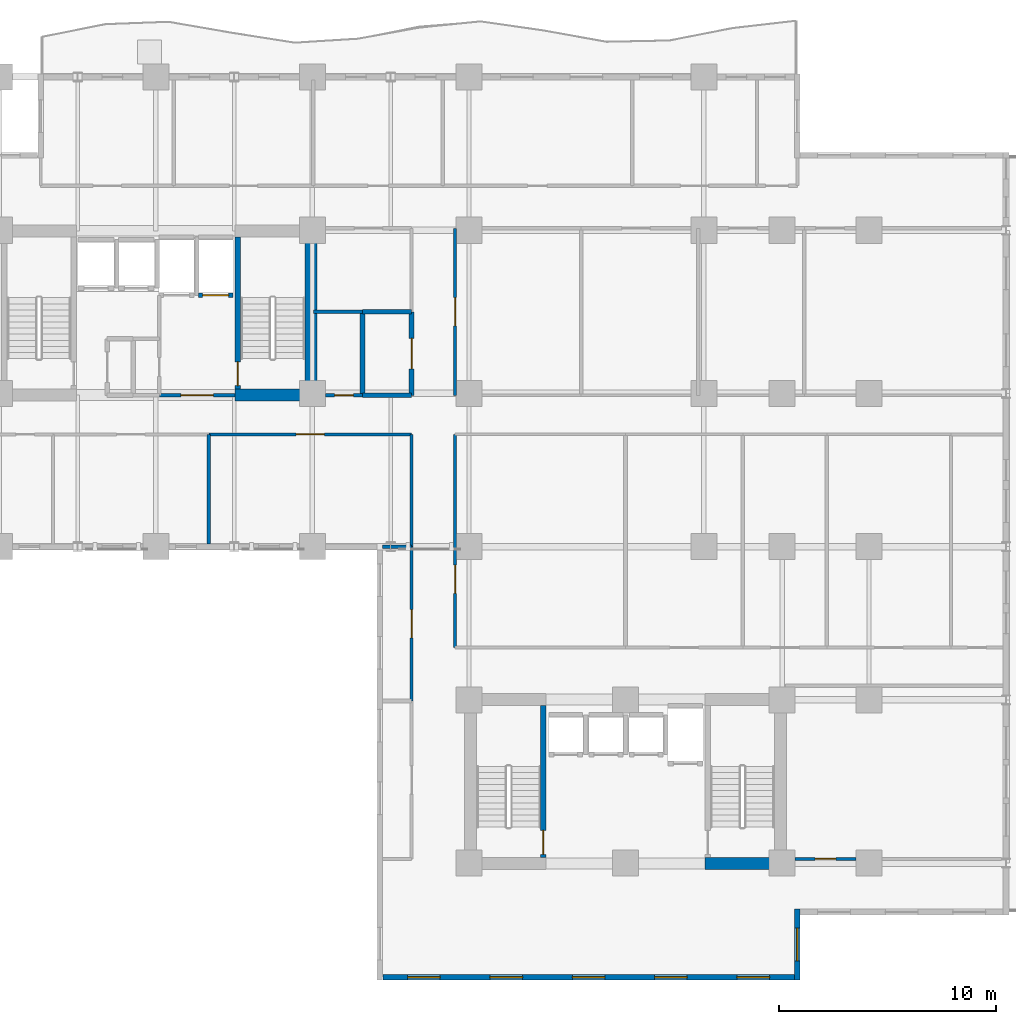
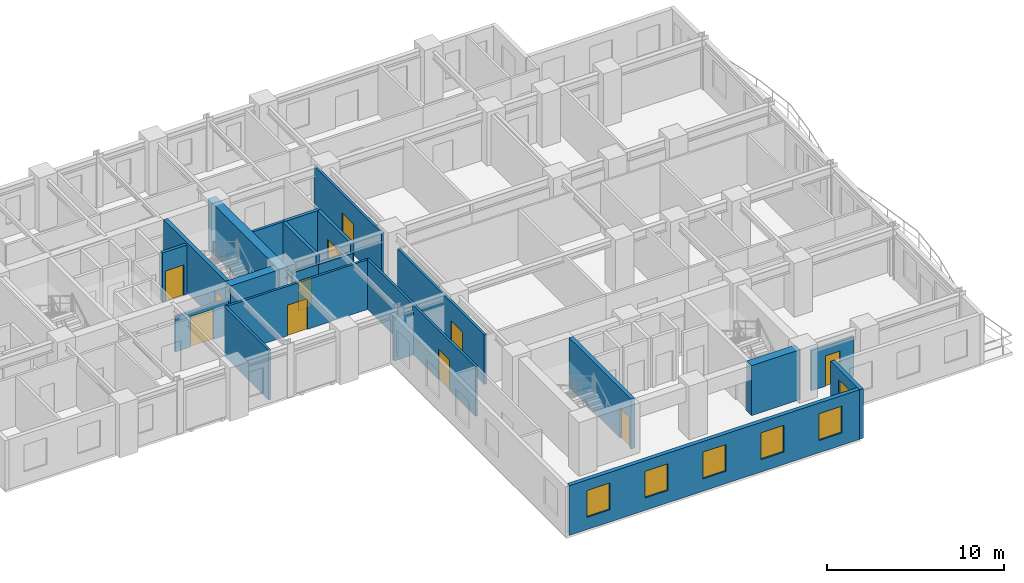
# One storey, part 4 of 11: 23 walls, 11 doors, 6 windows, 17 openings.
"""IFC4 building model written with IfcOpenShell, lengths in metres."""

from ifc_helpers import new_model, si_unit, direction, frame, frame_2d, origin, place, context, subcontext, project, spatial, rectangle, extrude, material, layer, layer_set, type_object, element, fill, save


model = new_model("IFC4")

# Units and contexts
model_context = context("Model", 3, precision=1e-05, world=origin(), true_north=direction((0.0, 1.0)))
body_context = subcontext(model_context, "Body", "Model", "MODEL_VIEW")
ifc_project = project(units=[si_unit("LENGTHUNIT", "METRE"), si_unit("AREAUNIT", "SQUARE_METRE"), si_unit("VOLUMEUNIT", "CUBIC_METRE"), si_unit("PLANEANGLEUNIT", "RADIAN"), si_unit("MASSUNIT", "GRAM", prefix="KILO")], contexts=[model_context])

# Site, building, storey
site_placement = place(None, origin())
site = spatial("IfcSite", under=ifc_project, at=site_placement, CompositionType="ELEMENT")
building_placement = place(site_placement, origin())
building = spatial("IfcBuilding", under=site, at=building_placement, Name="Kaliganga Portal Commons", CompositionType="ELEMENT")
storey_placement = place(building_placement, frame((0.0, 0.0, 111.89990234375)))
storey = spatial("IfcBuildingStorey", under=building, at=storey_placement, Name="L28", CompositionType="ELEMENT", Elevation=111.89990234375)

# Walls
ifc_material_1 = material(Name="Concrete C60/75", Category="concrete")
ifc_layer_1 = layer(ifc_material_1, 0.550048828125)
ifc_layer_set_1 = layer_set([ifc_layer_1], Name="Concrete C60/75")
wall_type_1 = type_object("IfcWallType", Name="WL-CORE-550", PredefinedType="SHEAR", material=ifc_layer_set_1)
wall_1_placement = place(storey_placement, frame((28.72509765625, 28.300048828125, 0.0), z_axis=(0.0, 0.0, 1.0), x_axis=(0.0, 1.0, 0.0)))
element("IfcWall", 1, at=wall_1_placement, inside=storey, type_object=wall_type_1, Name="Core A East Shear Wall L28", PredefinedType="SHEAR", context=body_context, shape_type="SweptSolid", body=[
    extrude(rectangle(XDim=8.099853515625, YDim=0.550048828125, at=frame_2d((4.0498046875, 0.0))), origin(), (0.0, 0.0, 1.0), 3.4501953125),
])
for number, where, z_axis, x_axis, name in (
    (2, (25.25, 28.574951171875, 0.0), (0.0, 0.0, 1.0), (1.0, 0.0, 0.0), "Core A S-East Shear Wall L28"),
    (3, (46.85009765625, 7.02490234375, 0.0), (0.0, 0.0, 1.0), (1.0, 0.0, 0.0), "Core B S-East Shear Wall L28"),
):
    element("IfcWall", number, at=place(storey_placement, frame(where, z_axis=z_axis, x_axis=x_axis)), inside=storey, type_object=wall_type_1, Name=name, PredefinedType="SHEAR", context=body_context, shape_type="SweptSolid", body=[
        extrude(rectangle(XDim=3.199951171875, YDim=0.550048828125, at=frame_2d((1.60009765625, 0.0))), origin(), (0.0, 0.0, 1.0), 3.4501953125),
    ])

# Wall, openings, windows
ifc_material_2 = material(Name="Insulated Aluminium-Clad Spandrel Assembly", Category="aluminium")
ifc_layer_2 = layer(ifc_material_2, 0.260009765625)
ifc_layer_set_2 = layer_set([ifc_layer_2], Name="Insulated Aluminium-Clad Spandrel Assembly")
wall_type_2 = type_object("IfcWallType", Name="WL-EXT-SPAND-260", PredefinedType="STANDARD", material=ifc_layer_set_2)
wall_2_placement = place(storey_placement, frame((50.965087890625, 1.800048828125, 0.0), z_axis=(0.0, 0.0, 1.0), x_axis=(-1.0, 0.0, 0.0)))
wall_2 = element("IfcWall", 4, at=wall_2_placement, inside=storey, type_object=wall_type_2, Name="Exterior Envelope Wall L28 P1-E00-S1", PredefinedType="STANDARD", context=body_context, shape_type="SweptSolid", body=[
    extrude(rectangle(XDim=18.93017578125, YDim=0.260009765625, at=frame_2d((9.465087890625, 0.0))), origin(), (0.0, 0.0, 1.0), 3.43017578125),
])
opening_1_placement = place(wall_2_placement, frame((1.14306640625, 0.0, 0.85009765625)))
opening_1 = element("IfcOpeningElement", 5, at=opening_1_placement, cuts=wall_2, Name="Opening W-02", PredefinedType="OPENING", context=body_context, shape_type="SweptSolid", body=[
    extrude(rectangle(XDim=1.5, YDim=1.85009765625, at=frame_2d((0.75, 0.925048828125))), frame((0.0, 0.14013671875, 0.0), z_axis=(0.0, -1.0, 0.0), x_axis=(1.0, 0.0, 0.0)), (0.0, 0.0, 1.0), 0.280029296875),
])
opening_2_placement = place(wall_2_placement, frame((4.928955078125, 0.0, 0.85009765625)))
opening_2 = element("IfcOpeningElement", 6, at=opening_2_placement, cuts=wall_2, Name="Opening W-02", PredefinedType="OPENING", context=body_context, shape_type="SweptSolid", body=[
    extrude(rectangle(XDim=1.5, YDim=1.85009765625, at=frame_2d((0.75, 0.925048828125))), frame((0.0, 0.14013671875, 0.0), z_axis=(0.0, -1.0, 0.0), x_axis=(1.0, 0.0, 0.0)), (0.0, 0.0, 1.0), 0.280029296875),
])
opening_3_placement = place(wall_2_placement, frame((8.715087890625, 0.0, 0.85009765625)))
opening_3 = element("IfcOpeningElement", 7, at=opening_3_placement, cuts=wall_2, Name="Opening W-02", PredefinedType="OPENING", context=body_context, shape_type="SweptSolid", body=[
    extrude(rectangle(XDim=1.5, YDim=1.85009765625, at=frame_2d((0.75, 0.925048828125))), frame((0.0, 0.14013671875, 0.0), z_axis=(0.0, -1.0, 0.0), x_axis=(1.0, 0.0, 0.0)), (0.0, 0.0, 1.0), 0.280029296875),
])
opening_4_placement = place(wall_2_placement, frame((12.5009765625, 0.0, 0.85009765625)))
opening_4 = element("IfcOpeningElement", 8, at=opening_4_placement, cuts=wall_2, Name="Opening W-02", PredefinedType="OPENING", context=body_context, shape_type="SweptSolid", body=[
    extrude(rectangle(XDim=1.5, YDim=1.85009765625, at=frame_2d((0.75, 0.925048828125))), frame((0.0, 0.14013671875, 0.0), z_axis=(0.0, -1.0, 0.0), x_axis=(1.0, 0.0, 0.0)), (0.0, 0.0, 1.0), 0.280029296875),
])
opening_5_placement = place(wall_2_placement, frame((16.287109375, 0.0, 0.85009765625)))
opening_5 = element("IfcOpeningElement", 9, at=opening_5_placement, cuts=wall_2, Name="Opening W-02", PredefinedType="OPENING", context=body_context, shape_type="SweptSolid", body=[
    extrude(rectangle(XDim=1.5, YDim=1.85009765625, at=frame_2d((0.75, 0.925048828125))), frame((0.0, 0.14013671875, 0.0), z_axis=(0.0, -1.0, 0.0), x_axis=(1.0, 0.0, 0.0)), (0.0, 0.0, 1.0), 0.280029296875),
])
ifc_material_3 = material(Name="Thermally Broken Aluminium and Low-E Double Glazing", Category="aluminium")
window_type = type_object("IfcWindowType", Name="WIN-STD-1500", PartitioningType="DOUBLE_PANEL_VERTICAL", PredefinedType="WINDOW", material=ifc_material_3)
window_1_placement = place(opening_1_placement, origin())
window_1 = element("IfcWindow", 10, at=window_1_placement, inside=storey, type_object=window_type, Name="Facade Window L28-P1E00S1-00", OverallHeight=1.85009765625, OverallWidth=1.5, PartitioningType="SINGLE_PANEL", PredefinedType="WINDOW", context=body_context, shape_type="SweptSolid", body=[
    extrude(rectangle(XDim=1.5, YDim=1.85009765625, at=frame_2d((0.75, 0.925048828125))), frame((0.0, 0.030029296875, 0.0), z_axis=(0.0, -1.0, 0.0), x_axis=(1.0, 0.0, 0.0)), (0.0, 0.0, 1.0), 0.06005859375),
])
fill(opening_1, window_1)
window_2_placement = place(opening_2_placement, origin())
window_2 = element("IfcWindow", 11, at=window_2_placement, inside=storey, type_object=window_type, Name="Facade Window L28-P1E00S1-01", OverallHeight=1.85009765625, OverallWidth=1.5, PartitioningType="SINGLE_PANEL", PredefinedType="WINDOW", context=body_context, shape_type="SweptSolid", body=[
    extrude(rectangle(XDim=1.5, YDim=1.85009765625, at=frame_2d((0.75, 0.925048828125))), frame((0.0, 0.030029296875, 0.0), z_axis=(0.0, -1.0, 0.0), x_axis=(1.0, 0.0, 0.0)), (0.0, 0.0, 1.0), 0.06005859375),
])
fill(opening_2, window_2)
window_3_placement = place(opening_3_placement, origin())
window_3 = element("IfcWindow", 12, at=window_3_placement, inside=storey, type_object=window_type, Name="Facade Window L28-P1E00S1-02", OverallHeight=1.85009765625, OverallWidth=1.5, PartitioningType="SINGLE_PANEL", PredefinedType="WINDOW", context=body_context, shape_type="SweptSolid", body=[
    extrude(rectangle(XDim=1.5, YDim=1.85009765625, at=frame_2d((0.75, 0.925048828125))), frame((0.0, 0.030029296875, 0.0), z_axis=(0.0, -1.0, 0.0), x_axis=(1.0, 0.0, 0.0)), (0.0, 0.0, 1.0), 0.06005859375),
])
fill(opening_3, window_3)
window_4_placement = place(opening_4_placement, origin())
window_4 = element("IfcWindow", 13, at=window_4_placement, inside=storey, type_object=window_type, Name="Facade Window L28-P1E00S1-03", OverallHeight=1.85009765625, OverallWidth=1.5, PartitioningType="SINGLE_PANEL", PredefinedType="WINDOW", context=body_context, shape_type="SweptSolid", body=[
    extrude(rectangle(XDim=1.5, YDim=1.85009765625, at=frame_2d((0.75, 0.925048828125))), frame((0.0, 0.030029296875, 0.0), z_axis=(0.0, -1.0, 0.0), x_axis=(1.0, 0.0, 0.0)), (0.0, 0.0, 1.0), 0.06005859375),
])
fill(opening_4, window_4)
window_5_placement = place(opening_5_placement, origin())
window_5 = element("IfcWindow", 14, at=window_5_placement, inside=storey, type_object=window_type, Name="Facade Window L28-P1E00S1-04", OverallHeight=1.85009765625, OverallWidth=1.5, PartitioningType="SINGLE_PANEL", PredefinedType="WINDOW", context=body_context, shape_type="SweptSolid", body=[
    extrude(rectangle(XDim=1.5, YDim=1.85009765625, at=frame_2d((0.75, 0.925048828125))), frame((0.0, 0.030029296875, 0.0), z_axis=(0.0, -1.0, 0.0), x_axis=(1.0, 0.0, 0.0)), (0.0, 0.0, 1.0), 0.06005859375),
])
fill(opening_5, window_5)

# Wall, opening, window
wall_3_placement = place(storey_placement, frame((51.10009765625, 4.929931640625, 0.0), z_axis=(0.0, 0.0, 1.0), x_axis=(0.0, -1.0, 0.0)))
wall_3 = element("IfcWall", 15, at=wall_3_placement, inside=storey, type_object=wall_type_2, Name="Exterior Envelope Wall L28 P1-E01-S1", PredefinedType="STANDARD", context=body_context, shape_type="SweptSolid", body=[
    extrude(rectangle(XDim=3.260009765625, YDim=0.260009765625, at=frame_2d((1.6298828125, 0.0))), origin(), (0.0, 0.0, 1.0), 3.43017578125),
])
opening_6_placement = place(wall_3_placement, frame((0.8798828125, 0.0, 0.85009765625)))
opening_6 = element("IfcOpeningElement", 16, at=opening_6_placement, cuts=wall_3, Name="Opening W-02", PredefinedType="OPENING", context=body_context, shape_type="SweptSolid", body=[
    extrude(rectangle(XDim=1.5, YDim=1.85009765625, at=frame_2d((0.75, 0.925048828125))), frame((0.0, 0.14013671875, 0.0), z_axis=(0.0, -1.0, 0.0), x_axis=(1.0, 0.0, 0.0)), (0.0, 0.0, 1.0), 0.280029296875),
])
window_6_placement = place(opening_6_placement, origin())
window_6 = element("IfcWindow", 17, at=window_6_placement, inside=storey, type_object=window_type, Name="Facade Window L28-P1E01S1-00", OverallHeight=1.85009765625, OverallWidth=1.5, PartitioningType="SINGLE_PANEL", PredefinedType="WINDOW", context=body_context, shape_type="SweptSolid", body=[
    extrude(rectangle(XDim=1.5, YDim=1.85009765625, at=frame_2d((0.75, 0.925048828125))), frame((0.0, 0.030029296875, 0.0), z_axis=(0.0, -1.0, 0.0), x_axis=(1.0, 0.0, 0.0)), (0.0, 0.0, 1.0), 0.06005859375),
])
fill(opening_6, window_6)

# Wall, opening, door
ifc_material_4 = material(Name="Fire-Rated Gypsum Board on Steel Stud", Category="steel")
ifc_layer_3 = layer(ifc_material_4, 0.14990234375)
ifc_layer_set_3 = layer_set([ifc_layer_3], Name="Fire-Rated Gypsum Board on Steel Stud")
wall_type_3 = type_object("IfcWallType", Name="WL-PART-CORR-150", PredefinedType="PARTITIONING", material=ifc_layer_set_3)
wall_4_placement = place(storey_placement, frame((51.0, 7.239990234375, 0.0), z_axis=(0.0, 0.0, 1.0), x_axis=(1.0, 0.0, 0.0)))
wall_4 = element("IfcWall", 18, at=wall_4_placement, inside=storey, type_object=wall_type_3, Name="Interior Partition L28-001", PredefinedType="PARTITIONING", context=body_context, shape_type="SweptSolid", body=[
    extrude(rectangle(XDim=2.800048828125, YDim=0.14990234375, at=frame_2d((1.39990234375, 0.0))), origin(), (0.0, 0.0, 1.0), 2.780029296875),
])
opening_7_placement = place(wall_4_placement, frame((0.925048828125, 0.0, 0.0)))
opening_7 = element("IfcOpeningElement", 19, at=opening_7_placement, cuts=wall_4, Name="Opening UD-01", PredefinedType="OPENING", context=body_context, shape_type="SweptSolid", body=[
    extrude(rectangle(XDim=0.949951171875, YDim=2.10009765625, at=frame_2d((0.47509765625, 1.050048828125))), frame((0.0, 0.0849609375, 0.0), z_axis=(0.0, -1.0, 0.0), x_axis=(1.0, 0.0, 0.0)), (0.0, 0.0, 1.0), 0.169921875),
])
ifc_material_5 = material(Name="Solid-Core Timber Acoustic Fire Door", Category="wood")
door_type_1 = type_object("IfcDoorType", Name="DR-UNIT-950", OperationType="NOTDEFINED", PredefinedType="DOOR", material=ifc_material_5)
door_1_placement = place(opening_7_placement, origin())
door_1 = element("IfcDoor", 20, at=door_1_placement, inside=storey, type_object=door_type_1, Name="Interior Door L28-BE01", OperationType="SINGLE_SWING_RIGHT", OverallHeight=2.10009765625, OverallWidth=0.949951171875, PredefinedType="DOOR", context=body_context, shape_type="SweptSolid", body=[
    extrude(rectangle(XDim=0.949951171875, YDim=2.10009765625, at=frame_2d((0.47509765625, 1.050048828125))), frame((0.0, 0.02490234375, 0.0), z_axis=(0.0, -1.0, 0.0), x_axis=(1.0, 0.0, 0.0)), (0.0, 0.0, 1.0), 0.050048828125),
])
fill(opening_7, door_1)

wall_5_placement = place(storey_placement, frame((35.360107421875, 16.9599609375, 0.0), z_axis=(0.0, 0.0, 1.0), x_axis=(0.0, 1.0, 0.0)))
wall_5 = element("IfcWall", 21, at=wall_5_placement, inside=storey, type_object=wall_type_3, Name="Interior Partition L28-004", PredefinedType="PARTITIONING", context=body_context, shape_type="SweptSolid", body=[
    extrude(rectangle(XDim=9.800048828125, YDim=0.14990234375, at=frame_2d((4.89990234375, 0.0))), origin(), (0.0, 0.0, 1.0), 3.43017578125),
])
opening_8_placement = place(wall_5_placement, frame((2.486083984375, 0.0, 0.0)))
opening_8 = element("IfcOpeningElement", 22, at=opening_8_placement, cuts=wall_5, Name="Opening RD-03", PredefinedType="OPENING", context=body_context, shape_type="SweptSolid", body=[
    extrude(rectangle(XDim=1.300048828125, YDim=2.1201171875, at=frame_2d((0.64990234375, 1.06005859375))), frame((0.0, 0.0849609375, 0.0), z_axis=(0.0, -1.0, 0.0), x_axis=(1.0, 0.0, 0.0)), (0.0, 0.0, 1.0), 0.169921875),
])
ifc_material_6 = material(Name="Glazed Timber Seminar Vision Door", Category="wood")
door_type_2 = type_object("IfcDoorType", Name="DR-STUDY-1300", OperationType="DOUBLE_DOOR_SINGLE_SWING", PredefinedType="DOOR", material=ifc_material_6)
door_2_placement = place(opening_8_placement, origin())
door_2 = element("IfcDoor", 23, at=door_2_placement, inside=storey, type_object=door_type_2, Name="Interior Door L28-BM01", OperationType="DOUBLE_DOOR_SINGLE_SWING", OverallHeight=2.1201171875, OverallWidth=1.300048828125, PredefinedType="DOOR", context=body_context, shape_type="SweptSolid", body=[
    extrude(rectangle(XDim=1.300048828125, YDim=2.1201171875, at=frame_2d((0.64990234375, 1.06005859375))), frame((0.0, 0.02490234375, 0.0), z_axis=(0.0, -1.0, 0.0), x_axis=(1.0, 0.0, 0.0)), (0.0, 0.0, 1.0), 0.050048828125),
])
fill(opening_8, door_2)

wall_6_placement = place(storey_placement, frame((24.0400390625, 26.760009765625, 0.0), z_axis=(0.0, 0.0, 1.0), x_axis=(1.0, 0.0, 0.0)))
wall_6 = element("IfcWall", 24, at=wall_6_placement, inside=storey, type_object=wall_type_3, Name="Interior Partition L28-005", PredefinedType="PARTITIONING", context=body_context, shape_type="SweptSolid", body=[
    extrude(rectangle(XDim=9.320068359375, YDim=0.14990234375, at=frame_2d((4.66015625, 0.0))), origin(), (0.0, 0.0, 1.0), 3.43017578125),
])
opening_9_placement = place(wall_6_placement, frame((4.010009765625, 0.0, 0.0)))
opening_9 = element("IfcOpeningElement", 25, at=opening_9_placement, cuts=wall_6, Name="Opening RD-03", PredefinedType="OPENING", context=body_context, shape_type="SweptSolid", body=[
    extrude(rectangle(XDim=1.300048828125, YDim=2.1201171875, at=frame_2d((0.64990234375, 1.06005859375))), frame((0.0, 0.0849609375, 0.0), z_axis=(0.0, -1.0, 0.0), x_axis=(1.0, 0.0, 0.0)), (0.0, 0.0, 1.0), 0.169921875),
])
door_3_placement = place(opening_9_placement, origin())
door_3 = element("IfcDoor", 26, at=door_3_placement, inside=storey, type_object=door_type_2, Name="Interior Door L28-AS05", OperationType="DOUBLE_DOOR_SINGLE_SWING", OverallHeight=2.1201171875, OverallWidth=1.300048828125, PredefinedType="DOOR", context=body_context, shape_type="SweptSolid", body=[
    extrude(rectangle(XDim=1.300048828125, YDim=2.1201171875, at=frame_2d((0.64990234375, 1.06005859375))), frame((0.0, 0.02490234375, 0.0), z_axis=(0.0, -1.0, 0.0), x_axis=(1.0, 0.0, 0.0)), (0.0, 0.0, 1.0), 0.050048828125),
])
fill(opening_9, door_3)

wall_7_placement = place(storey_placement, frame((35.360107421875, 28.56005859375, 0.0), z_axis=(0.0, 0.0, 1.0), x_axis=(0.0, 1.0, 0.0)))
wall_7 = element("IfcWall", 27, at=wall_7_placement, inside=storey, type_object=wall_type_3, Name="Interior Partition L28-010", PredefinedType="PARTITIONING", context=body_context, shape_type="SweptSolid", body=[
    extrude(rectangle(XDim=7.679931640625, YDim=0.14990234375, at=frame_2d((3.83984375, 0.0))), origin(), (0.0, 0.0, 1.0), 3.43017578125),
])
opening_10_placement = place(wall_7_placement, frame((3.18994140625, 0.0, 0.0)))
opening_10 = element("IfcOpeningElement", 28, at=opening_10_placement, cuts=wall_7, Name="Opening RD-03", PredefinedType="OPENING", context=body_context, shape_type="SweptSolid", body=[
    extrude(rectangle(XDim=1.300048828125, YDim=2.1201171875, at=frame_2d((0.64990234375, 1.06005859375))), frame((0.0, 0.0849609375, 0.0), z_axis=(0.0, -1.0, 0.0), x_axis=(1.0, 0.0, 0.0)), (0.0, 0.0, 1.0), 0.169921875),
])
door_4_placement = place(opening_10_placement, origin())
door_4 = element("IfcDoor", 29, at=door_4_placement, inside=storey, type_object=door_type_2, Name="Interior Door L28-BK01", OperationType="DOUBLE_DOOR_SINGLE_SWING", OverallHeight=2.1201171875, OverallWidth=1.300048828125, PredefinedType="DOOR", context=body_context, shape_type="SweptSolid", body=[
    extrude(rectangle(XDim=1.300048828125, YDim=2.1201171875, at=frame_2d((0.64990234375, 1.06005859375))), frame((0.0, 0.02490234375, 0.0), z_axis=(0.0, -1.0, 0.0), x_axis=(1.0, 0.0, 0.0)), (0.0, 0.0, 1.0), 0.050048828125),
])
fill(opening_10, door_4)

wall_8_placement = place(storey_placement, frame((33.360107421875, 14.5, 0.0), z_axis=(0.0, 0.0, 1.0), x_axis=(0.0, 1.0, 0.0)))
wall_8 = element("IfcWall", 30, at=wall_8_placement, inside=storey, type_object=wall_type_3, Name="Interior Partition L28-013", PredefinedType="PARTITIONING", context=body_context, shape_type="SweptSolid", body=[
    extrude(rectangle(XDim=7.10009765625, YDim=0.14990234375, at=frame_2d((3.550048828125, 0.0))), origin(), (0.0, 0.0, 1.0), 3.43017578125),
])
opening_11_placement = place(wall_8_placement, frame((2.89990234375, 0.0, 0.0)))
opening_11 = element("IfcOpeningElement", 31, at=opening_11_placement, cuts=wall_8, Name="Opening RD-03", PredefinedType="OPENING", context=body_context, shape_type="SweptSolid", body=[
    extrude(rectangle(XDim=1.300048828125, YDim=2.1201171875, at=frame_2d((0.64990234375, 1.06005859375))), frame((0.0, 0.0849609375, 0.0), z_axis=(0.0, -1.0, 0.0), x_axis=(1.0, 0.0, 0.0)), (0.0, 0.0, 1.0), 0.169921875),
])
door_5_placement = place(opening_11_placement, origin())
door_5 = element("IfcDoor", 32, at=door_5_placement, inside=storey, type_object=door_type_2, Name="Interior Door L28-KW02", OperationType="DOUBLE_DOOR_SINGLE_SWING", OverallHeight=2.1201171875, OverallWidth=1.300048828125, PredefinedType="DOOR", context=body_context, shape_type="SweptSolid", body=[
    extrude(rectangle(XDim=1.300048828125, YDim=2.1201171875, at=frame_2d((0.64990234375, 1.06005859375))), frame((0.0, 0.02490234375, 0.0), z_axis=(0.0, -1.0, 0.0), x_axis=(1.0, 0.0, 0.0)), (0.0, 0.0, 1.0), 0.050048828125),
])
fill(opening_11, door_5)

# Wall
wall_9_placement = place(storey_placement, frame((33.360107421875, 21.60009765625, 0.0), z_axis=(0.0, 0.0, 1.0), x_axis=(0.0, 1.0, 0.0)))
element("IfcWall", 33, at=wall_9_placement, inside=storey, type_object=wall_type_3, Name="Interior Partition L28-022", PredefinedType="PARTITIONING", context=body_context, shape_type="SweptSolid", body=[
    extrude(rectangle(XDim=5.159912109375, YDim=0.14990234375, at=frame_2d((2.580078125, 0.0))), origin(), (0.0, 0.0, 1.0), 3.43017578125),
])

# Wall, opening, door
wall_10_placement = place(storey_placement, frame((29.39990234375, 28.56005859375, 0.0), z_axis=(0.0, 0.0, 1.0), x_axis=(1.0, 0.0, 0.0)))
wall_10 = element("IfcWall", 34, at=wall_10_placement, inside=storey, type_object=wall_type_3, Name="Interior Partition L28-035", PredefinedType="PARTITIONING", context=body_context, shape_type="SweptSolid", body=[
    extrude(rectangle(XDim=1.7001953125, YDim=0.14990234375, at=frame_2d((0.85009765625, 0.0))), origin(), (0.0, 0.0, 1.0), 2.780029296875),
])
opening_12_placement = place(wall_10_placement, frame((0.419921875, 0.0, 0.0)))
opening_12 = element("IfcOpeningElement", 35, at=opening_12_placement, cuts=wall_10, Name="Opening WD-02", PredefinedType="OPENING", context=body_context, shape_type="SweptSolid", body=[
    extrude(rectangle(XDim=0.860107421875, YDim=2.02001953125, at=frame_2d((0.43017578125, 1.010009765625))), frame((0.0, 0.0849609375, 0.0), z_axis=(0.0, -1.0, 0.0), x_axis=(1.0, 0.0, 0.0)), (0.0, 0.0, 1.0), 0.169921875),
])
ifc_material_7 = material(Name="Fire-Rated Utility Closet Door", Category="wood")
door_type_3 = type_object("IfcDoorType", Name="DR-STORE-800", OperationType="NOTDEFINED", PredefinedType="DOOR", material=ifc_material_7)
door_6_placement = place(opening_12_placement, origin())
door_6 = element("IfcDoor", 36, at=door_6_placement, inside=storey, type_object=door_type_3, Name="Interior Door L28-CSRV_A1", OperationType="SINGLE_SWING_RIGHT", OverallHeight=2.02001953125, OverallWidth=0.860107421875, PredefinedType="DOOR", context=body_context, shape_type="SweptSolid", body=[
    extrude(rectangle(XDim=0.860107421875, YDim=2.02001953125, at=frame_2d((0.43017578125, 1.010009765625))), frame((0.0, 0.02490234375, 0.0), z_axis=(0.0, -1.0, 0.0), x_axis=(1.0, 0.0, 0.0)), (0.0, 0.0, 1.0), 0.050048828125),
])
fill(opening_12, door_6)

wall_11_placement = place(storey_placement, frame((21.760009765625, 28.56005859375, 0.0), z_axis=(0.0, 0.0, 1.0), x_axis=(1.0, 0.0, 0.0)))
wall_11 = element("IfcWall", 37, at=wall_11_placement, inside=storey, type_object=wall_type_3, Name="Interior Partition L28-072", PredefinedType="PARTITIONING", context=body_context, shape_type="SweptSolid", body=[
    extrude(rectangle(XDim=3.47998046875, YDim=0.14990234375, at=frame_2d((1.739990234375, 0.0))), origin(), (0.0, 0.0, 1.0), 2.43017578125),
])
opening_13_placement = place(wall_11_placement, frame((0.989990234375, 0.0, 0.0)))
opening_13 = element("IfcOpeningElement", 38, at=opening_13_placement, cuts=wall_11, Name="Opening FD-01", PredefinedType="OPENING", context=body_context, shape_type="SweptSolid", body=[
    extrude(rectangle(XDim=1.5, YDim=2.10009765625, at=frame_2d((0.75, 1.050048828125))), frame((0.0, 0.0849609375, 0.0), z_axis=(0.0, -1.0, 0.0), x_axis=(1.0, 0.0, 0.0)), (0.0, 0.0, 1.0), 0.169921875),
])
ifc_material_8 = material(Name="Fire-Rated Hardwood and Georgian-Wired Vision Panel", Category="wood")
door_type_4 = type_object("IfcDoorType", Name="DR-LOBBY-1500", OperationType="DOUBLE_DOOR_SINGLE_SWING", PredefinedType="DOOR", material=ifc_material_8)
door_7_placement = place(opening_13_placement, origin())
door_7 = element("IfcDoor", 39, at=door_7_placement, inside=storey, type_object=door_type_4, Name="Interior Door L28-FFLOB_A", OperationType="DOUBLE_DOOR_SINGLE_SWING", OverallHeight=2.10009765625, OverallWidth=1.5, PredefinedType="DOOR", context=body_context, shape_type="SweptSolid", body=[
    extrude(rectangle(XDim=1.5, YDim=2.10009765625, at=frame_2d((0.75, 1.050048828125))), frame((0.0, 0.02490234375, 0.0), z_axis=(0.0, -1.0, 0.0), x_axis=(1.0, 0.0, 0.0)), (0.0, 0.0, 1.0), 0.050048828125),
])
fill(opening_13, door_7)

ifc_material_9 = material(Name="Lightweight blockwork masonry", Category="masonry")
ifc_layer_4 = layer(ifc_material_9, 0.215087890625)
ifc_layer_set_4 = layer_set([ifc_layer_4], Name="Lightweight blockwork masonry")
wall_type_4 = type_object("IfcWallType", Name="WL-PART-PLANT-215", PredefinedType="PARTITIONING", material=ifc_layer_set_4)
wall_12_placement = place(storey_placement, frame((33.360107421875, 28.56005859375, 0.0), z_axis=(0.0, 0.0, 1.0), x_axis=(0.0, 1.0, 0.0)))
wall_12 = element("IfcWall", 40, at=wall_12_placement, inside=storey, type_object=wall_type_4, Name="Interior Partition L28-029", PredefinedType="PARTITIONING", context=body_context, shape_type="SweptSolid", body=[
    extrude(rectangle(XDim=3.83984375, YDim=0.215087890625, at=frame_2d((1.919921875, 0.0))), origin(), (0.0, 0.0, 1.0), 3.43017578125),
])
opening_14_placement = place(wall_12_placement, frame((1.219970703125, 0.0, 0.0)))
opening_14 = element("IfcOpeningElement", 41, at=opening_14_placement, cuts=wall_12, Name="Opening PD-01", PredefinedType="OPENING", context=body_context, shape_type="SweptSolid", body=[
    extrude(rectangle(XDim=1.39990234375, YDim=2.14990234375, at=frame_2d((0.699951171875, 1.074951171875))), frame((0.0, 0.11767578125, 0.0), z_axis=(0.0, -1.0, 0.0), x_axis=(1.0, 0.0, 0.0)), (0.0, 0.0, 1.0), 0.235107421875),
])
ifc_material_10 = material(Name="Heavy-Duty Steel Acoustic Louvre Fire Door", Category="steel")
door_type_5 = type_object("IfcDoorType", Name="DR-PLANT-1400", OperationType="DOUBLE_DOOR_SINGLE_SWING", PredefinedType="DOOR", material=ifc_material_10)
door_8_placement = place(opening_14_placement, origin())
door_8 = element("IfcDoor", 42, at=door_8_placement, inside=storey, type_object=door_type_5, Name="Interior Door L28-CSRV_A3", OperationType="DOUBLE_DOOR_SINGLE_SWING", OverallHeight=2.14990234375, OverallWidth=1.39990234375, PredefinedType="DOOR", context=body_context, shape_type="SweptSolid", body=[
    extrude(rectangle(XDim=1.39990234375, YDim=2.14990234375, at=frame_2d((0.699951171875, 1.074951171875))), frame((0.0, 0.02490234375, 0.0), z_axis=(0.0, -1.0, 0.0), x_axis=(1.0, 0.0, 0.0)), (0.0, 0.0, 1.0), 0.050048828125),
])
fill(opening_14, door_8)

# Walls
wall_13_placement = place(storey_placement, frame((31.10009765625, 28.56005859375, 0.0), z_axis=(0.0, 0.0, 1.0), x_axis=(1.0, 0.0, 0.0)))
element("IfcWall", 43, at=wall_13_placement, inside=storey, type_object=wall_type_4, Name="Interior Partition L28-036", PredefinedType="PARTITIONING", context=body_context, shape_type="SweptSolid", body=[
    extrude(rectangle(XDim=2.260009765625, YDim=0.215087890625, at=frame_2d((1.1298828125, 0.0))), origin(), (0.0, 0.0, 1.0), 2.780029296875),
])
wall_14_placement = place(storey_placement, frame((31.10009765625, 28.56005859375, 0.0), z_axis=(0.0, 0.0, 1.0), x_axis=(0.0, 1.0, 0.0)))
element("IfcWall", 44, at=wall_14_placement, inside=storey, type_object=wall_type_4, Name="Interior Partition L28-071", PredefinedType="PARTITIONING", context=body_context, shape_type="SweptSolid", body=[
    extrude(rectangle(XDim=3.83984375, YDim=0.215087890625, at=frame_2d((1.919921875, 0.0))), origin(), (0.0, 0.0, 1.0), 3.43017578125),
])
wall_15_placement = place(storey_placement, frame((31.10009765625, 32.39990234375, 0.0), z_axis=(0.0, 0.0, 1.0), x_axis=(1.0, 0.0, 0.0)))
element("IfcWall", 45, at=wall_15_placement, inside=storey, type_object=wall_type_4, Name="Interior Partition L28-076", PredefinedType="PARTITIONING", context=body_context, shape_type="SweptSolid", body=[
    extrude(rectangle(XDim=2.260009765625, YDim=0.215087890625, at=frame_2d((1.1298828125, 0.0))), origin(), (0.0, 0.0, 1.0), 3.43017578125),
])
ifc_material_11 = material(Name="Twin-Stud Acoustic Gypsum Partition", Category="gypsum")
ifc_layer_5 = layer(ifc_material_11, 0.1650390625)
ifc_layer_set_5 = layer_set([ifc_layer_5], Name="Twin-Stud Acoustic Gypsum Partition")
wall_type_5 = type_object("IfcWallType", Name="WL-PART-UNIT-165", PredefinedType="PARTITIONING", material=ifc_layer_set_5)
wall_16_placement = place(storey_placement, frame((24.0400390625, 21.73193359375, 0.0), z_axis=(0.0, 0.0, 1.0), x_axis=(0.0, 1.0, 0.0)))
element("IfcWall", 46, at=wall_16_placement, inside=storey, type_object=wall_type_5, Name="Interior Partition L28-060", PredefinedType="PARTITIONING", context=body_context, shape_type="SweptSolid", body=[
    extrude(rectangle(XDim=5.028076171875, YDim=0.1650390625, at=frame_2d((2.51416015625, 0.0))), origin(), (0.0, 0.0, 1.0), 3.43017578125),
])
wall_17_placement = place(storey_placement, frame((28.840087890625, 32.39990234375, 0.0), z_axis=(0.0, 0.0, 1.0), x_axis=(1.0, 0.0, 0.0)))
element("IfcWall", 47, at=wall_17_placement, inside=storey, type_object=wall_type_5, Name="Interior Partition L28-075", PredefinedType="PARTITIONING", context=body_context, shape_type="SweptSolid", body=[
    extrude(rectangle(XDim=2.260009765625, YDim=0.1650390625, at=frame_2d((1.1298828125, 0.0))), origin(), (0.0, 0.0, 1.0), 3.43017578125),
])
wall_18_placement = place(storey_placement, frame((32.031982421875, 21.60009765625, 0.0), z_axis=(0.0, 0.0, 1.0), x_axis=(1.0, 0.0, 0.0)))
element("IfcWall", 48, at=wall_18_placement, inside=storey, type_object=wall_type_5, Name="Interior Partition L28-079", PredefinedType="PARTITIONING", context=body_context, shape_type="SweptSolid", body=[
    extrude(rectangle(XDim=1.328125, YDim=0.1650390625, at=frame_2d((0.6640625, 0.0))), origin(), (0.0, 0.0, 1.0), 2.97998046875),
])

# Wall, opening, door
ifc_material_12 = material(Name="Fire-Rated Shaftwall Masonry Assembly", Category="masonry")
ifc_layer_6 = layer(ifc_material_12, 0.199951171875)
ifc_layer_set_6 = layer_set([ifc_layer_6], Name="Fire-Rated Shaftwall Masonry Assembly")
wall_type_6 = type_object("IfcWallType", Name="WL-SHAFT-200", PredefinedType="PARTITIONING", material=ifc_layer_set_6)
wall_19_placement = place(storey_placement, frame((23.550048828125, 33.159912109375, 0.0), z_axis=(0.0, 0.0, 1.0), x_axis=(1.0, 0.0, 0.0)))
wall_19 = element("IfcWall", 49, at=wall_19_placement, inside=storey, type_object=wall_type_6, Name="Lift FFL-2 Hoistway Shaft Wall L28-S", PredefinedType="PARTITIONING", context=body_context, shape_type="SweptSolid", body=[
    extrude(rectangle(XDim=1.599853515625, YDim=0.199951171875, at=frame_2d((0.7998046875, 0.0))), origin(), (0.0, 0.0, 1.0), 3.43017578125),
])
opening_15_placement = place(wall_19_placement, frame((0.199951171875, 0.0, 0.0)))
opening_15 = element("IfcOpeningElement", 50, at=opening_15_placement, cuts=wall_19, Name="Opening LD-02", PredefinedType="OPENING", context=body_context, shape_type="SweptSolid", body=[
    extrude(rectangle(XDim=1.199951171875, YDim=2.1201171875, at=frame_2d((0.60009765625, 1.06005859375))), frame((0.0, 0.10986328125, 0.0), z_axis=(0.0, -1.0, 0.0), x_axis=(1.0, 0.0, 0.0)), (0.0, 0.0, 1.0), 0.219970703125),
])
ifc_material_13 = material(Name="Brushed Stainless Steel 316 Stretcher Lift Landing Door", Category="steel")
door_type_6 = type_object("IfcDoorType", Name="DR-LIFT-1200", OperationType="SLIDING_TO_RIGHT", PredefinedType="DOOR", material=ifc_material_13)
door_9_placement = place(opening_15_placement, origin())
door_9 = element("IfcDoor", 51, at=door_9_placement, inside=storey, type_object=door_type_6, Name="Lift FFL-2 Sliding Landing Door L28", OperationType="SLIDING_TO_RIGHT", OverallHeight=2.1201171875, OverallWidth=1.199951171875, PredefinedType="DOOR", context=body_context, shape_type="SweptSolid", body=[
    extrude(rectangle(XDim=1.199951171875, YDim=2.1201171875, at=frame_2d((0.60009765625, 1.06005859375))), frame((0.0, 0.02490234375, 0.0), z_axis=(0.0, -1.0, 0.0), x_axis=(1.0, 0.0, 0.0)), (0.0, 0.0, 1.0), 0.050048828125),
])
fill(opening_15, door_9)

ifc_material_14 = material(Name="Concrete C50/60", Category="concrete")
ifc_layer_7 = layer(ifc_material_14, 0.25)
ifc_layer_set_7 = layer_set([ifc_layer_7], Name="Concrete C50/60")
wall_type_7 = type_object("IfcWallType", Name="WL-STAIR-250", PredefinedType="SHEAR", material=ifc_layer_set_7)
wall_20_placement = place(storey_placement, frame((25.375, 28.85009765625, 0.0), z_axis=(0.0, 0.0, 1.0), x_axis=(0.0, 1.0, 0.0)))
wall_20 = element("IfcWall", 52, at=wall_20_placement, inside=storey, type_object=wall_type_7, Name="Stair A2 Enclosure Shear Wall L28", PredefinedType="SHEAR", context=body_context, shape_type="SweptSolid", body=[
    extrude(rectangle(XDim=7.0, YDim=0.25, at=frame_2d((3.5, 0.0))), origin(), (0.0, 0.0, 1.0), 3.4501953125),
])
opening_16_placement = place(wall_20_placement, frame((0.14990234375, 0.0, 0.0)))
opening_16 = element("IfcOpeningElement", 53, at=opening_16_placement, cuts=wall_20, Name="Opening SD-01", PredefinedType="OPENING", context=body_context, shape_type="SweptSolid", body=[
    extrude(rectangle(XDim=1.10009765625, YDim=2.080078125, at=frame_2d((0.550048828125, 1.0400390625))), frame((0.0, 0.135009765625, 0.0), z_axis=(0.0, -1.0, 0.0), x_axis=(1.0, 0.0, 0.0)), (0.0, 0.0, 1.0), 0.27001953125),
])
ifc_material_15 = material(Name="Galvanized Steel Fire Door Leaf and Frame", Category="steel")
door_type_7 = type_object("IfcDoorType", Name="DR-STAIR-1100", OperationType="NOTDEFINED", PredefinedType="DOOR", material=ifc_material_15)
door_10_placement = place(opening_16_placement, origin())
door_10 = element("IfcDoor", 54, at=door_10_placement, inside=storey, type_object=door_type_7, Name="Protected Stair ST-A2 Fire Door L28", OperationType="SINGLE_SWING_LEFT", OverallHeight=2.080078125, OverallWidth=1.10009765625, PredefinedType="DOOR", context=body_context, shape_type="SweptSolid", body=[
    extrude(rectangle(XDim=1.10009765625, YDim=2.080078125, at=frame_2d((0.550048828125, 1.0400390625))), frame((0.0, 0.02490234375, 0.0), z_axis=(0.0, -1.0, 0.0), x_axis=(1.0, 0.0, 0.0)), (0.0, 0.0, 1.0), 0.050048828125),
])
fill(opening_16, door_10)

wall_21_placement = place(storey_placement, frame((39.425048828125, 7.300048828125, 0.0), z_axis=(0.0, 0.0, 1.0), x_axis=(0.0, 1.0, 0.0)))
wall_21 = element("IfcWall", 55, at=wall_21_placement, inside=storey, type_object=wall_type_7, Name="Stair B1 Enclosure Shear Wall L28", PredefinedType="SHEAR", context=body_context, shape_type="SweptSolid", body=[
    extrude(rectangle(XDim=7.0, YDim=0.25, at=frame_2d((3.5, 0.0))), origin(), (0.0, 0.0, 1.0), 3.4501953125),
])
opening_17_placement = place(wall_21_placement, frame((0.14990234375, 0.0, 0.0)))
opening_17 = element("IfcOpeningElement", 56, at=opening_17_placement, cuts=wall_21, Name="Opening SD-01", PredefinedType="OPENING", context=body_context, shape_type="SweptSolid", body=[
    extrude(rectangle(XDim=1.10009765625, YDim=2.080078125, at=frame_2d((0.550048828125, 1.0400390625))), frame((0.0, 0.135009765625, 0.0), z_axis=(0.0, -1.0, 0.0), x_axis=(1.0, 0.0, 0.0)), (0.0, 0.0, 1.0), 0.27001953125),
])
door_11_placement = place(opening_17_placement, origin())
door_11 = element("IfcDoor", 57, at=door_11_placement, inside=storey, type_object=door_type_7, Name="Protected Stair ST-B1 Fire Door L28", OperationType="SINGLE_SWING_RIGHT", OverallHeight=2.080078125, OverallWidth=1.10009765625, PredefinedType="DOOR", context=body_context, shape_type="SweptSolid", body=[
    extrude(rectangle(XDim=1.10009765625, YDim=2.080078125, at=frame_2d((0.550048828125, 1.0400390625))), frame((0.0, 0.02490234375, 0.0), z_axis=(0.0, -1.0, 0.0), x_axis=(1.0, 0.0, 0.0)), (0.0, 0.0, 1.0), 0.050048828125),
])
fill(opening_17, door_11)

save(model, "model.ifc")
